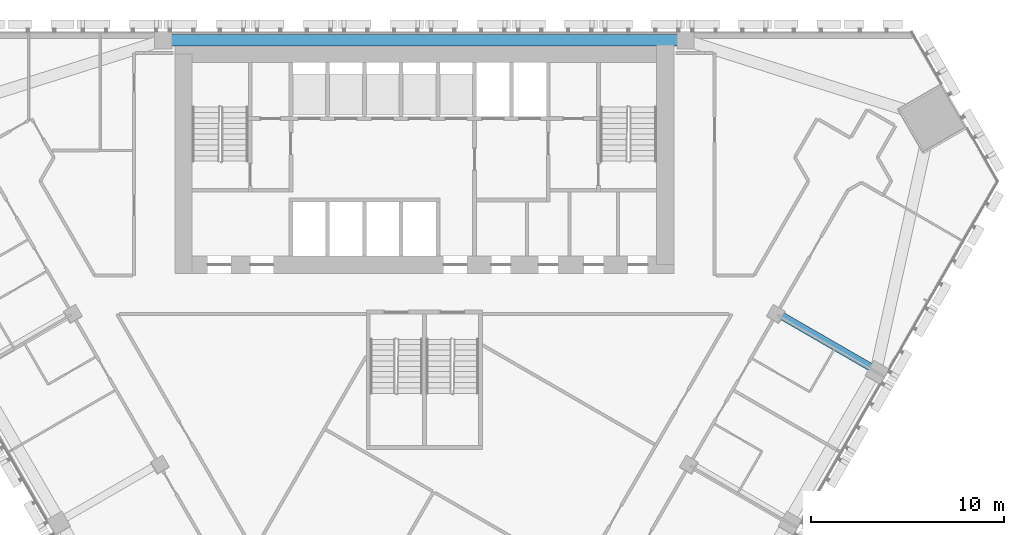
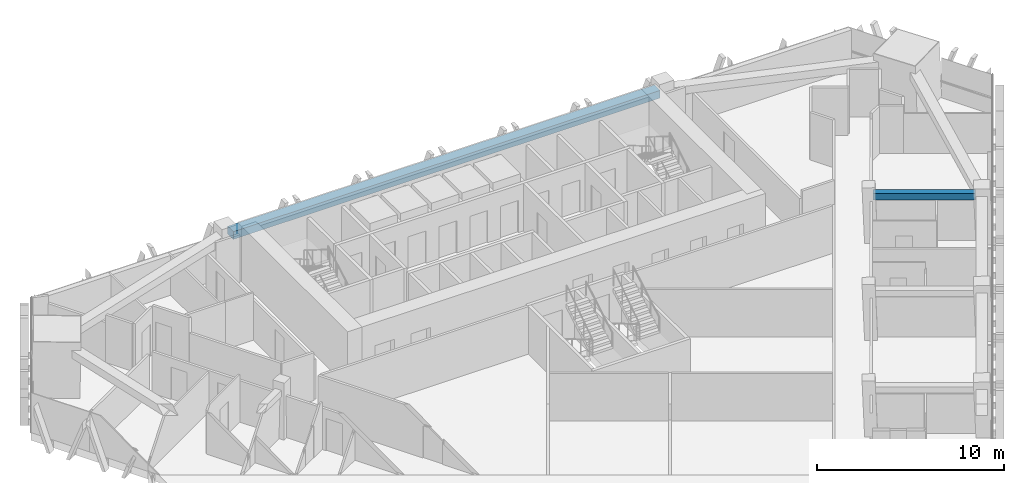
# One storey, part 6 of 16: 2 beams.
"""IFC4 building model written with IfcOpenShell, lengths in metres."""

from ifc_helpers import new_model, si_unit, direction, frame, origin, origin_2d, place, context, subcontext, project, spatial, rectangle, extrude, material, material_profile, profile_set, type_object, element, save


model = new_model("IFC4")

# Units and contexts
model_context = context("Model", 3, precision=1e-05, world=origin(), true_north=direction((0.0, 1.0)))
body_context = subcontext(model_context, "Body", "Model", "MODEL_VIEW")
ifc_project = project(units=[si_unit("LENGTHUNIT", "METRE"), si_unit("AREAUNIT", "SQUARE_METRE"), si_unit("VOLUMEUNIT", "CUBIC_METRE"), si_unit("PLANEANGLEUNIT", "RADIAN"), si_unit("MASSUNIT", "GRAM", prefix="KILO")], contexts=[model_context])

# Site, building, storey
site_placement = place(None, origin())
site = spatial("IfcSite", under=ifc_project, at=site_placement, CompositionType="ELEMENT")
building_placement = place(site_placement, origin())
building = spatial("IfcBuilding", under=site, at=building_placement, Name="Altiplano Prism Tower", CompositionType="ELEMENT")
storey_placement = place(building_placement, frame((0.0, 0.0, 77.39990234375)))
storey = spatial("IfcBuildingStorey", under=building, at=storey_placement, Name="L19", CompositionType="ELEMENT", Elevation=77.39990234375)

# Beams
ifc_material = material(Name="Concrete C60/75", Category="concrete")
ifc_material_profile_1 = material_profile(ifc_material, rectangle(XDim=0.60009765625, YDim=0.5, at=origin_2d()), Name="Edge beam 600x500")
ifc_profile_set_1 = profile_set([ifc_material_profile_1], Name="Concrete C60/75")
beam_type_1 = type_object("IfcBeamType", Name="Edge beam 600x500", PredefinedType="SPANDREL", material=ifc_profile_set_1)
beam_1_placement = place(storey_placement, frame((98.169921875, 104.550048828125, 2.85009765625), z_axis=(-1.0, 0.0, 0.0), x_axis=(0.0, -1.0, 0.0)))
element("IfcBeam", 1, at=beam_1_placement, inside=storey, type_object=beam_type_1, Name="Edge beam P01-P04 L20", PredefinedType="SPANDREL", context=body_context, shape_type="SweptSolid", body=[
    extrude(rectangle(XDim=0.60009765625, YDim=0.5, at=origin_2d()), origin(), (0.0, 0.0, 1.0), 26.33984375),
])
ifc_material_profile_2 = material_profile(ifc_material, rectangle(XDim=0.39990234375, YDim=0.39990234375, at=origin_2d()), Name="Tie beam 400x400")
ifc_profile_set_2 = profile_set([ifc_material_profile_2], Name="Concrete C60/75")
beam_type_2 = type_object("IfcBeamType", Name="Tie beam 400x400", PredefinedType="BEAM", material=ifc_profile_set_2)
beam_2_placement = place(storey_placement, frame((103.306640625, 90.404541015625, 2.900146484375), z_axis=(0.866023410697, -0.500003452112, 0.0), x_axis=(0.500003452112, 0.866023410697, 0.0)))
element("IfcBeam", 2, at=beam_2_placement, inside=storey, type_object=beam_type_2, Name="Tie beam I24 L20", PredefinedType="BEAM", context=body_context, shape_type="SweptSolid", body=[
    extrude(rectangle(XDim=0.39990234375, YDim=0.39990234375, at=origin_2d()), origin(), (0.0, 0.0, 1.0), 5.490234375),
])

save(model, "model.ifc")
